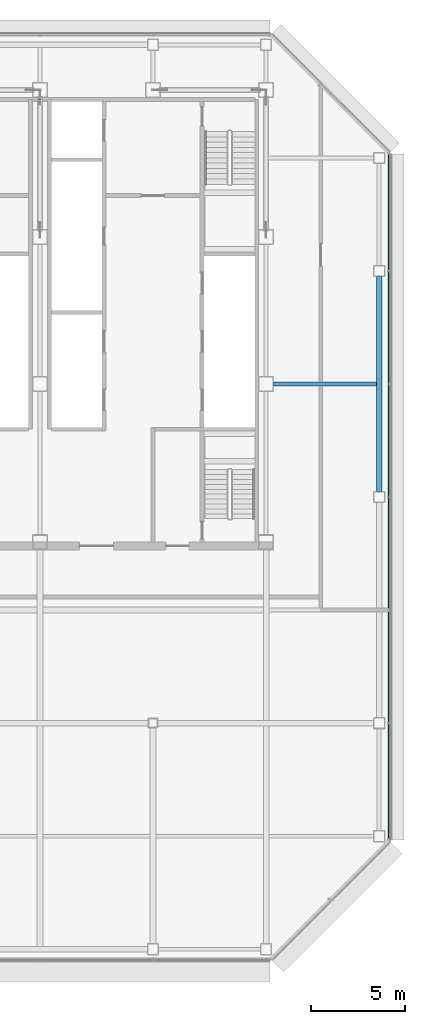
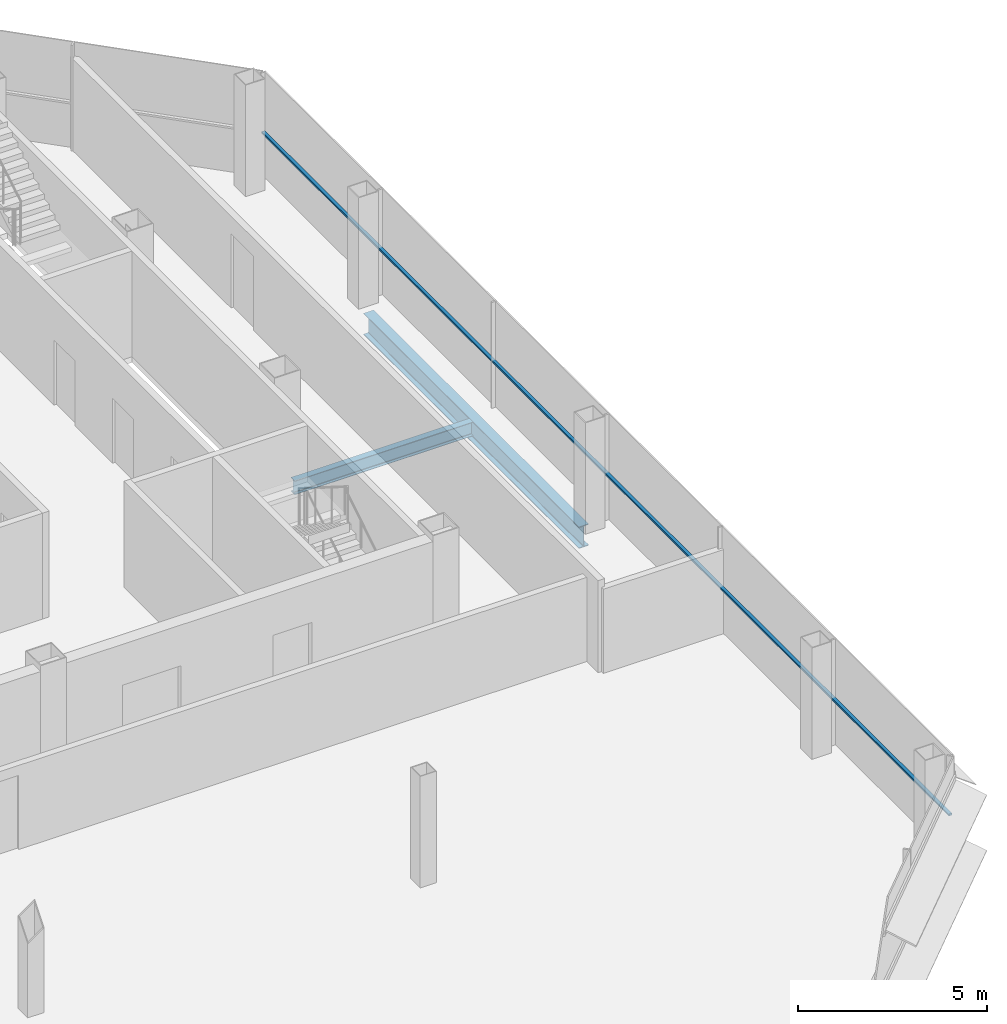
# One storey, part 17 of 27: 2 beams, 1 member, 1 element without a shape of its own.
"""IFC4 building model written with IfcOpenShell, lengths in metres."""

from ifc_helpers import new_model, si_unit, direction, frame, origin, origin_2d, place, context, subcontext, project, spatial, rectangle, i_section, extrude, material, material_profile, profile_set, type_object, element, aggregate, save


model = new_model("IFC4")

# Units and contexts
model_context = context("Model", 3, precision=1e-05, world=origin(), true_north=direction((0.0, 1.0)))
body_context = subcontext(model_context, "Body", "Model", "MODEL_VIEW")
ifc_project = project(units=[si_unit("LENGTHUNIT", "METRE"), si_unit("AREAUNIT", "SQUARE_METRE"), si_unit("VOLUMEUNIT", "CUBIC_METRE"), si_unit("PLANEANGLEUNIT", "RADIAN"), si_unit("MASSUNIT", "GRAM", prefix="KILO")], contexts=[model_context])

# Site, building, storey
site_placement = place(None, origin())
site = spatial("IfcSite", under=ifc_project, at=site_placement, CompositionType="ELEMENT")
building_placement = place(site_placement, origin())
building = spatial("IfcBuilding", under=site, at=building_placement, Name="Sorahane Residences", CompositionType="ELEMENT")
storey_placement = place(building_placement, frame((0.0, 0.0, 298.0)))
storey = spatial("IfcBuildingStorey", under=building, at=storey_placement, Name="L70", CompositionType="ELEMENT", Elevation=298.0)

# Curtain wall, member
ifc_material_1 = material(Name="Dark low-e glass and black anodised aluminium", Category="aluminium")
curtain_wall_type = type_object("IfcCurtainWallType", Name="Curtain wall CW-1 Typical unitised wall", PredefinedType="NOTDEFINED", material=ifc_material_1)
curtain_wall_placement = place(storey_placement, origin())
curtain_wall = element("IfcCurtainWall", 1, at=curtain_wall_placement, inside=storey, type_object=curtain_wall_type, Name="CW-1 curtain wall L70 E2", PredefinedType="NOTDEFINED")
ifc_material_2 = material(Name="Black anodised aluminium", Category="aluminium")
ifc_material_profile_1 = material_profile(ifc_material_2, rectangle(XDim=0.10009765625, YDim=0.06005859375, at=origin_2d()), Name="Curtain wall transom CW-1 black anodised aluminium 60x100")
ifc_profile_set_1 = profile_set([ifc_material_profile_1], Name="Black anodised aluminium")
member_type = type_object("IfcMemberType", Name="Curtain wall transom CW-1 black anodised aluminium 60x100", PredefinedType="USERDEFINED", material=ifc_profile_set_1)
member_placement = place(storey_placement, frame((48.530029296875, 5.801513671875, 1.5), z_axis=(0.0, 1.0, 0.0), x_axis=(-1.0, 0.0, 0.0)))
member = element("IfcMember", 2, at=member_placement, type_object=member_type, Name="CW-1 transom L70 E2", ObjectType="TRANSOM", PredefinedType="USERDEFINED", context=body_context, shape_type="SweptSolid", body=[
    extrude(rectangle(XDim=0.10009765625, YDim=0.06005859375, at=origin_2d()), origin(), (0.0, 0.0, 1.0), 36.39697265625),
])
aggregate(curtain_wall, [member])

# Beams
ifc_material_3 = material(Name="Steel Q355B", Category="steel")
ifc_material_profile_2 = material_profile(ifc_material_3, i_section(OverallWidth=0.199951171875, OverallDepth=0.449951171875, WebThickness=0.009033203125, FlangeThickness=0.013916015625, FilletRadius=0.02001953125, at=origin_2d()), Name="HN 450x200x9x14")
ifc_profile_set_2 = profile_set([ifc_material_profile_2], Name="Steel Q355B")
beam_type_1 = type_object("IfcBeamType", Name="Steel floor beam HN 450x200x9x14 Q355B", PredefinedType="BEAM", material=ifc_profile_set_2)
beam_1_placement = place(storey_placement, frame((42.39990234375, 30.0, -0.405029296875), z_axis=(1.0, 0.0, 0.0), x_axis=(0.0, 1.0, 0.0)))
element("IfcBeam", 3, at=beam_1_placement, inside=storey, type_object=beam_type_1, Name="Beam L70 082", PredefinedType="BEAM", context=body_context, shape_type="SweptSolid", body=[
    extrude(i_section(OverallWidth=0.199951171875, OverallDepth=0.449951171875, WebThickness=0.009033203125, FlangeThickness=0.013916015625, FilletRadius=0.02001953125, at=origin_2d()), origin(), (0.0, 0.0, 1.0), 5.4501953125),
])
ifc_material_4 = material(Name="Steel Q355B", Category="steel")
ifc_material_profile_3 = material_profile(ifc_material_4, i_section(OverallWidth=0.300048828125, OverallDepth=0.699951171875, WebThickness=0.012939453125, FlangeThickness=0.02392578125, FilletRadius=0.028076171875, at=origin_2d()), Name="HN 700x300x13x24")
ifc_profile_set_3 = profile_set([ifc_material_profile_3], Name="Steel Q355B")
beam_type_2 = type_object("IfcBeamType", Name="Steel floor beam HN 700x300x13x24 Q355B", PredefinedType="BEAM", material=ifc_profile_set_3)
beam_2_placement = place(storey_placement, frame((48.0, 24.300048828125, -0.530029296875), z_axis=(0.0, 1.0, 0.0), x_axis=(-1.0, 0.0, 0.0)))
element("IfcBeam", 4, at=beam_2_placement, inside=storey, type_object=beam_type_2, Name="Beam L70 062", PredefinedType="BEAM", context=body_context, shape_type="SweptSolid", body=[
    extrude(i_section(OverallWidth=0.300048828125, OverallDepth=0.699951171875, WebThickness=0.012939453125, FlangeThickness=0.02392578125, FilletRadius=0.028076171875, at=origin_2d()), origin(), (0.0, 0.0, 1.0), 11.39990234375),
])

save(model, "model.ifc")
